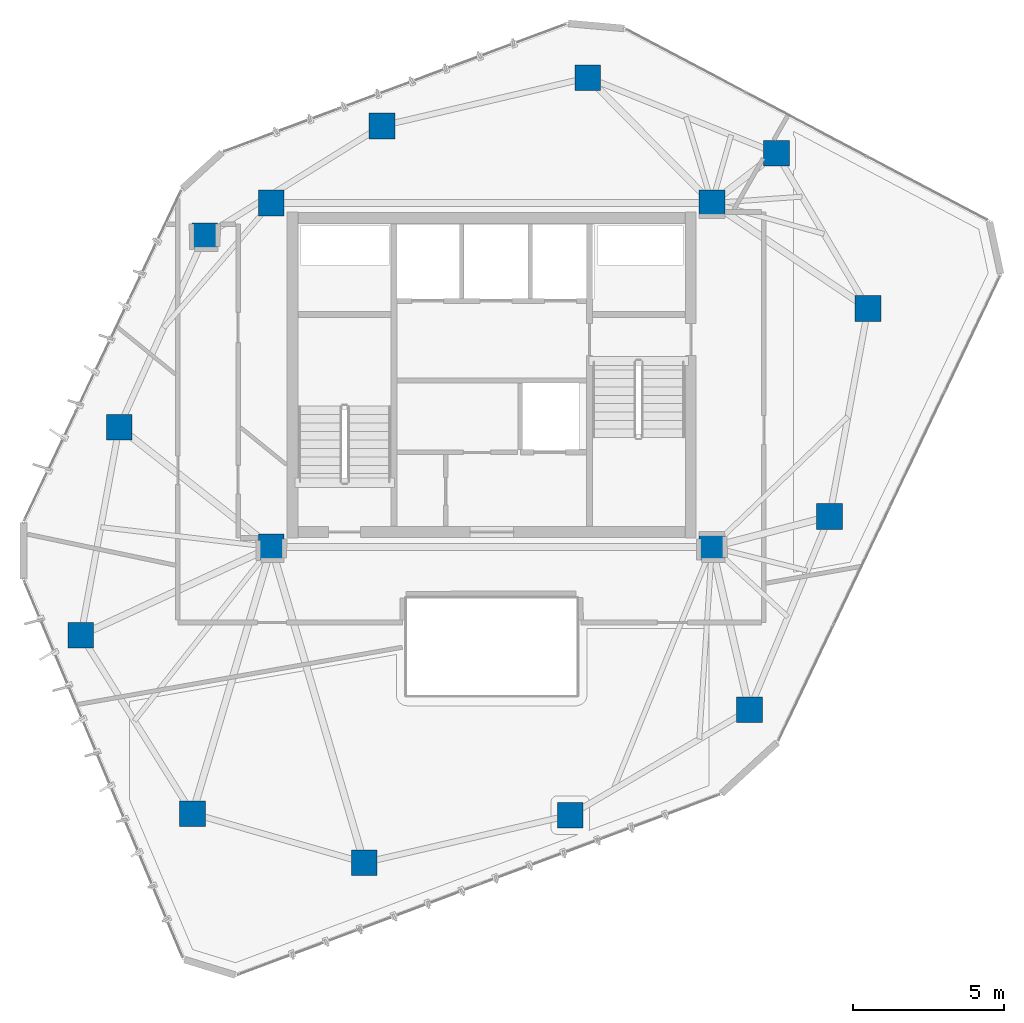
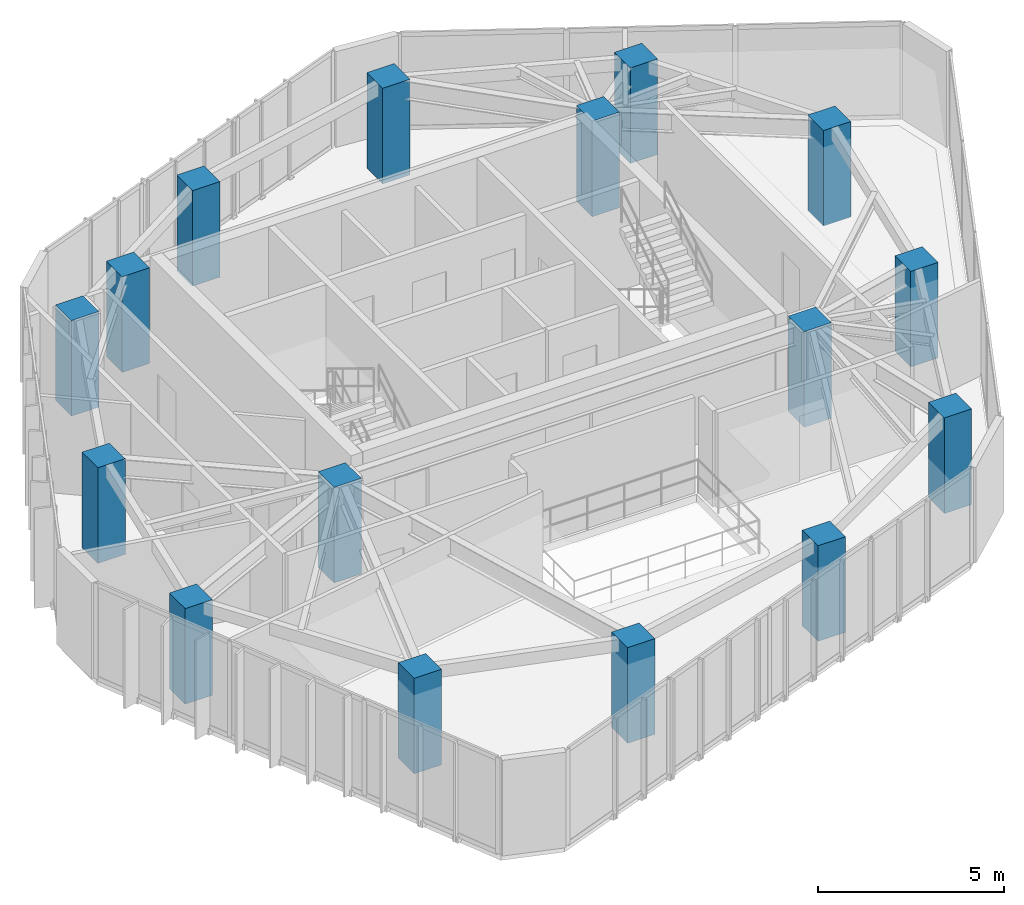
# One storey, part 1 of 20: 16 columns.
"""IFC4 building model written with IfcOpenShell, lengths in metres."""

import ifcopenshell
import ifcopenshell.guid

model = None  # the IFC model being written
_history = None  # IfcOwnerHistory: only IFC2X3 demands one
_inside = {}  # id of a spatial element -> (the spatial element, [elements in it])
_under = {}  # id of a project, library or spatial element -> (it, [spatial elements below it])
_declared = {}  # id of a project -> (the project, [libraries it declares])
_typed = {}  # id of a type object -> (the type object, [elements of that type])
_made_of = {}  # id of a material, layer set ... -> (it, [elements and type objects made of it])


def new_model(schema):
    """Start an empty IFC model of exactly this schema.

    Asked for "IFC4X3", IfcOpenShell would pick the latest addendum, in which some entities
    have other attributes; the version numbers below select the first issue.
    IFC2X3 requires an IfcOwnerHistory on every rooted entity: one is made here for all.
    """
    global model, _history
    if schema == "IFC4X3":
        model = ifcopenshell.file(schema_version=(4, 3, 0, 0))
    else:
        model = ifcopenshell.file(schema=schema)
    _inside.clear()
    _under.clear()
    _declared.clear()
    _typed.clear()
    _made_of.clear()
    _history = None
    if model.schema == "IFC2X3":
        org = make("IfcOrganization", Name="unknown")
        user = make(
            "IfcPersonAndOrganization",
            ThePerson=make("IfcPerson", FamilyName="unknown"),
            TheOrganization=org,
        )
        app = make(
            "IfcApplication",
            ApplicationDeveloper=org,
            Version="unknown",
            ApplicationFullName="unknown",
            ApplicationIdentifier="unknown",
        )
        _history = make(
            "IfcOwnerHistory",
            OwningUser=user,
            OwningApplication=app,
            ChangeAction="ADDED",
            CreationDate=0,
        )
    return model


def make(cls, **values):
    """One entity of the class cls with the attributes given. An attribute that is None is left unset."""
    return model.create_entity(
        cls, **{name: value for name, value in values.items() if value is not None}
    )


def rooted(cls, **values):
    """An entity with a GlobalId (a new one), such as an element, a storey or a relation."""
    return make(cls, GlobalId=ifcopenshell.guid.new(), OwnerHistory=_history, **values)


def si_unit(unit_type, name, prefix=None):
    """IfcSIUnit, for example si_unit("LENGTHUNIT", "METRE", prefix="MILLI")."""
    return make("IfcSIUnit", UnitType=unit_type, Prefix=prefix, Name=name)


def assignment(units):
    """IfcUnitAssignment: the units of a project."""
    return None if units is None else make("IfcUnitAssignment", Units=units)


def point(xyz):
    """IfcCartesianPoint."""
    return None if xyz is None else make("IfcCartesianPoint", Coordinates=xyz)


def direction(xyz):
    """IfcDirection."""
    return None if xyz is None else make("IfcDirection", DirectionRatios=xyz)


def frame(location, z_axis=None, x_axis=None):
    """IfcAxis2Placement3D, a coordinate frame: its origin and axes. An axis left out is left unset."""
    return make(
        "IfcAxis2Placement3D",
        Location=point(location),
        Axis=direction(z_axis),
        RefDirection=direction(x_axis),
    )


def frame_2d(location, x_axis=None):
    """IfcAxis2Placement2D, a coordinate frame in the plane: its origin and x axis."""
    return make(
        "IfcAxis2Placement2D", Location=point(location), RefDirection=direction(x_axis)
    )


def origin():
    """The frame at (0, 0, 0) with its axes left unset."""
    return frame((0.0, 0.0, 0.0))


def origin_2d():
    """The frame at (0, 0) in the plane with its x axis left unset."""
    return frame_2d((0.0, 0.0))


def place(relative_to, where):
    """IfcLocalPlacement: puts the frame where relative to a parent placement (None: the world)."""
    return make(
        "IfcLocalPlacement", PlacementRelTo=relative_to, RelativePlacement=where
    )


def context(
    kind, dimensions, precision=None, world=None, true_north=None, identifier=None
):
    """IfcGeometricRepresentationContext, for example the 3D "Model" context."""
    return make(
        "IfcGeometricRepresentationContext",
        ContextIdentifier=identifier,
        ContextType=kind,
        CoordinateSpaceDimension=dimensions,
        Precision=precision,
        WorldCoordinateSystem=world,
        TrueNorth=true_north,
    )


def subcontext(parent, identifier, kind, view, scale=None):
    """IfcGeometricRepresentationSubContext, for example "Body" below "Model"."""
    return make(
        "IfcGeometricRepresentationSubContext",
        ContextIdentifier=identifier,
        ContextType=kind,
        ParentContext=parent,
        TargetScale=scale,
        TargetView=view,
    )


def project(units=None, contexts=None):
    """IfcProject with its units and contexts."""
    return rooted(
        "IfcProject",
        Name="project",
        RepresentationContexts=contexts,
        UnitsInContext=assignment(units),
    )


def spatial(cls, under=None, at=None, **own):
    """A site, building, storey or space (cls), placed at a placement, below another one or the project."""
    s = rooted(cls, ObjectPlacement=at, **own)
    if under is not None:
        _under.setdefault(under.id(), (under, []))[1].append(s)
    return s


def profile(cls, at=None, kind="AREA", **sizes):
    """A parametric profile (cls). Its sizes go by their IFC names, for example OverallWidth=200.0."""
    return make(cls, ProfileType=kind, Position=at, **sizes)


def rectangle(**sizes):
    """IfcRectangleProfileDef."""
    return profile("IfcRectangleProfileDef", **sizes)


def extrude(swept, where, along, depth):
    """IfcExtrudedAreaSolid: the profile swept, set in the frame where, extruded along a direction by depth."""
    return make(
        "IfcExtrudedAreaSolid",
        SweptArea=swept,
        Position=where,
        ExtrudedDirection=direction(along),
        Depth=depth,
    )


def shape(context_of_items, identifier, shape_type, items):
    """IfcShapeRepresentation: the items that make up one representation, for example the "Body"."""
    return make(
        "IfcShapeRepresentation",
        ContextOfItems=context_of_items,
        RepresentationIdentifier=identifier,
        RepresentationType=shape_type,
        Items=items,
    )


def material(Name=None, Category=None):
    """IfcMaterial."""
    return make("IfcMaterial", Name=Name, Category=Category)


def material_profile(
    of_material, cross_section, Name=None, Category=None, Priority=None
):
    """IfcMaterialProfile: a cross section and its material."""
    return make(
        "IfcMaterialProfile",
        Name=Name,
        Material=of_material,
        Profile=cross_section,
        Priority=Priority,
        Category=Category,
    )


def profile_set(profiles, Name=None, composite=None):
    """IfcMaterialProfileSet."""
    return make(
        "IfcMaterialProfileSet",
        Name=Name,
        MaterialProfiles=profiles,
        CompositeProfile=composite,
    )


def made_of(thing, what):
    """Note that an element or type object is made of a material, layer set ...; save() writes the relation."""
    if what is not None:
        _made_of.setdefault(what.id(), (what, []))[1].append(thing)
    return thing


def type_object(cls, material=None, **own):
    """A type object (cls), such as IfcWallType, which elements share."""
    return made_of(rooted(cls, **own), material)


def element(
    cls,
    number,
    at=None,
    inside=None,
    cuts=None,
    type_object=None,
    material=None,
    context=None,
    identifier="Body",
    shape_type=None,
    held_by="IfcProductDefinitionShape",
    body=None,
    shapes=None,
    **own,
):
    """One element of the class cls, such as IfcWall. Its Tag is "e" and its number.

    at: its placement. inside: the storey or other place that contains it. cuts: it is an
    opening in that element (IfcRelVoidsElement). A single representation is given by context,
    identifier, shape_type and body (its items); several are given by shapes. held_by: the class
    of the entity that holds the representations. save() writes the other relations.
    """
    e = rooted(cls, Tag="e%d" % number, ObjectPlacement=at, **own)
    if body is not None:
        shapes = [shape(context, identifier, shape_type, body)]
    if shapes is not None:
        e.Representation = make(held_by, Representations=shapes)
    if inside is not None:
        _inside.setdefault(inside.id(), (inside, []))[1].append(e)
    if cuts is not None:
        rooted(
            "IfcRelVoidsElement", RelatingBuildingElement=cuts, RelatedOpeningElement=e
        )
    if type_object is not None:
        _typed.setdefault(type_object.id(), (type_object, []))[1].append(e)
    return made_of(e, material)


def aggregate(whole, parts):
    """IfcRelAggregates: a whole, such as a stair, and the parts it consists of."""
    return rooted("IfcRelAggregates", RelatingObject=whole, RelatedObjects=parts)


def save(model, path):
    """Write the relations noted so far, then the file.

    IfcRelAggregates (storeys below a building ...), IfcRelContainedInSpatialStructure (elements
    in a storey), IfcRelDefinesByType, IfcRelAssociatesMaterial and IfcRelDeclares: one each for
    every whole, place, type object, material and project.
    """
    for whole, parts in _under.values():
        aggregate(whole, parts)
    for where, things in _inside.values():
        rooted(
            "IfcRelContainedInSpatialStructure",
            RelatedElements=things,
            RelatingStructure=where,
        )
    for kind, things in _typed.values():
        rooted("IfcRelDefinesByType", RelatedObjects=things, RelatingType=kind)
    for what, things in _made_of.values():
        rooted("IfcRelAssociatesMaterial", RelatedObjects=things, RelatingMaterial=what)
    for by, libraries in _declared.values():
        rooted("IfcRelDeclares", RelatingContext=by, RelatedDefinitions=libraries)
    model.write(path)


model = new_model("IFC4")

# Units and contexts
model_context = context("Model", 3, precision=1e-05, world=origin(), true_north=direction((0.0, 1.0)))
body_context = subcontext(model_context, "Body", "Model", "MODEL_VIEW")
ifc_project = project(units=[si_unit("LENGTHUNIT", "METRE"), si_unit("AREAUNIT", "SQUARE_METRE"), si_unit("VOLUMEUNIT", "CUBIC_METRE"), si_unit("PLANEANGLEUNIT", "RADIAN"), si_unit("MASSUNIT", "GRAM", prefix="KILO")], contexts=[model_context])

# Site, building, storey
site_placement = place(None, origin())
site = spatial("IfcSite", under=ifc_project, at=site_placement, CompositionType="ELEMENT")
building_placement = place(site_placement, origin())
building = spatial("IfcBuilding", under=site, at=building_placement, Name="Talar Marvaseh", CompositionType="ELEMENT")
storey_placement = place(building_placement, frame((0.0, 0.0, 281.60009765625)))
storey = spatial("IfcBuildingStorey", under=building, at=storey_placement, Name="L75", CompositionType="ELEMENT", Elevation=281.60009765625)

# Columns
ifc_material = material(Name="Concrete C50/60", Category="concrete")
ifc_material_profile = material_profile(ifc_material, rectangle(XDim=0.85009765625, YDim=0.85009765625, at=origin_2d()), Name="RC850x850")
ifc_profile_set = profile_set([ifc_material_profile], Name="Concrete C50/60")
column_type = type_object("IfcColumnType", Name="Zone 4 Tube Column RC850x850", PredefinedType="COLUMN", material=ifc_profile_set)
for number, where, z_axis, x_axis, name in (
    (1, (12.388916015625, 22.576904296875, 0.0), (0.0, 0.0, 1.0), (1.0, 0.0, 0.0), "L75 Zone 4 Tube Column RC850x850"),
    (2, (13.657958984375, 29.469970703125, 0.0), (0.0, 0.0, 1.0), (1.0, 0.0, 0.0), "L75 Zone 4 Tube Column RC850x850"),
    (3, (16.493896484375, 35.806884765625, 0.0), (0.0, 0.0, 1.0), (1.0, 0.0, 0.0), "L75 Zone 4 Tube Column RC850x850"),
    (4, (22.364990234375, 39.4541015625, 0.0), (0.0, 0.0, 1.0), (1.0, 0.0, 0.0), "L75 Zone 4 Tube Column RC850x850"),
    (5, (29.18798828125, 41.052001953125, 0.0), (0.0, 0.0, 1.0), (1.0, 0.0, 0.0), "L75 Zone 4 Tube Column RC850x850"),
    (6, (35.43798828125, 38.551025390625, 0.0), (0.0, 0.0, 1.0), (1.0, 0.0, 0.0), "L75 Zone 4 Tube Column RC850x850"),
    (7, (38.470947265625, 33.406005859375, 0.0), (0.0, 0.0, 1.0), (1.0, 0.0, 0.0), "L75 Zone 4 Tube Column RC850x850"),
    (8, (37.197021484375, 26.513916015625, 0.0), (0.0, 0.0, 1.0), (1.0, 0.0, 0.0), "L75 Zone 4 Tube Column RC850x850"),
    (9, (34.5439453125, 20.111083984375, 0.0), (0.0, 0.0, 1.0), (1.0, 0.0, 0.0), "L75 Zone 4 Tube Column RC850x850"),
    (10, (28.60498046875, 16.616943359375, 0.0), (0.0, 0.0, 1.0), (1.0, 0.0, 0.0), "L75 Zone 4 Tube Column RC850x850"),
    (11, (21.77587890625, 15.0400390625, 0.0), (0.0, 0.0, 1.0), (1.0, 0.0, 0.0), "L75 Zone 4 Tube Column RC850x850"),
    (12, (16.0869140625, 16.66796875, 0.0), (0.0, 0.0, 1.0), (1.0, 0.0, 0.0), "L75 Zone 4 Tube Column RC850x850"),
    (13, (18.699951171875, 25.5, 0.0), (0.0, 0.0, 1.0), (1.0, 0.0, 0.0), "L75 Zone 4 Tube Column RC850x850"),
    (14, (33.300048828125, 25.5, 0.0), (0.0, 0.0, 1.0), (1.0, 0.0, 0.0), "L75 Zone 4 Tube Column RC850x850"),
    (15, (33.300048828125, 36.89990234375, 0.0), (0.0, 0.0, 1.0), (1.0, 0.0, 0.0), "L75 Zone 4 Tube Column RC850x850"),
    (16, (18.699951171875, 36.89990234375, 0.0), (0.0, 0.0, 1.0), (1.0, 0.0, 0.0), "L75 Zone 4 Tube Column RC850x850"),
):
    element("IfcColumn", number, at=place(storey_placement, frame(where, z_axis=z_axis, x_axis=x_axis)), inside=storey, type_object=column_type, Name=name, PredefinedType="COLUMN", context=body_context, shape_type="SweptSolid", body=[
        extrude(rectangle(XDim=0.85009765625, YDim=0.85009765625, at=origin_2d()), origin(), (0.0, 0.0, 1.0), 3.139892578125),
    ])

save(model, "model.ifc")
